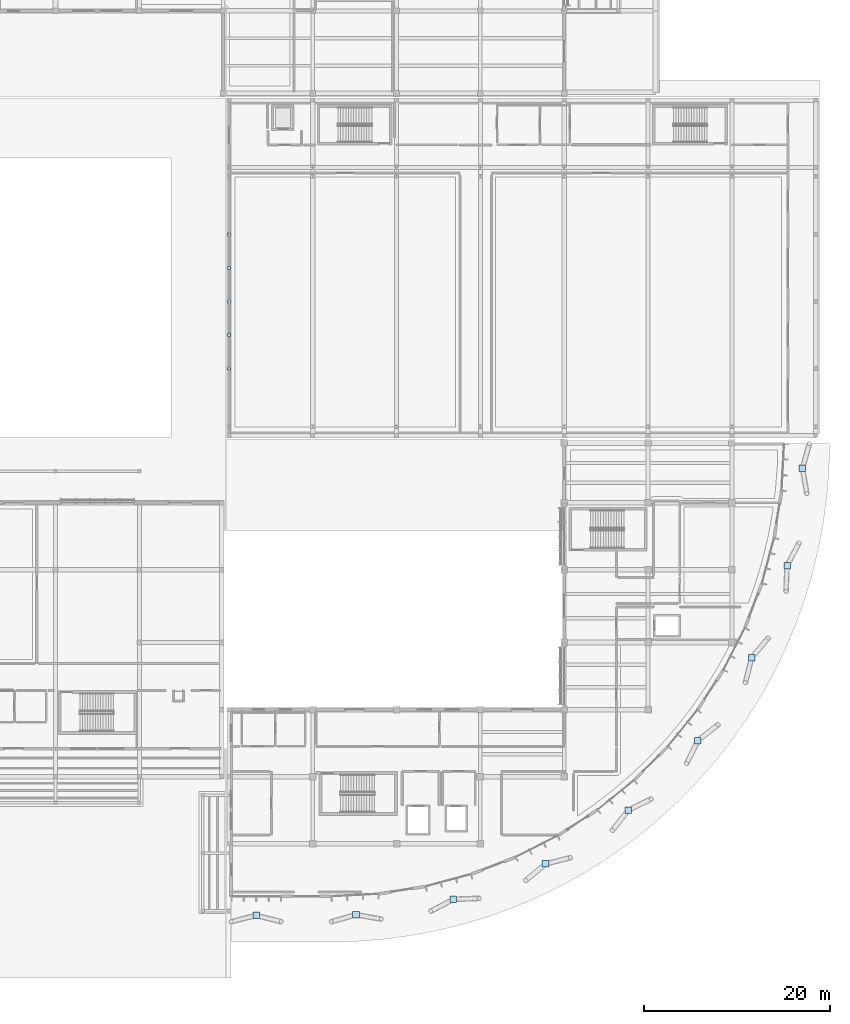
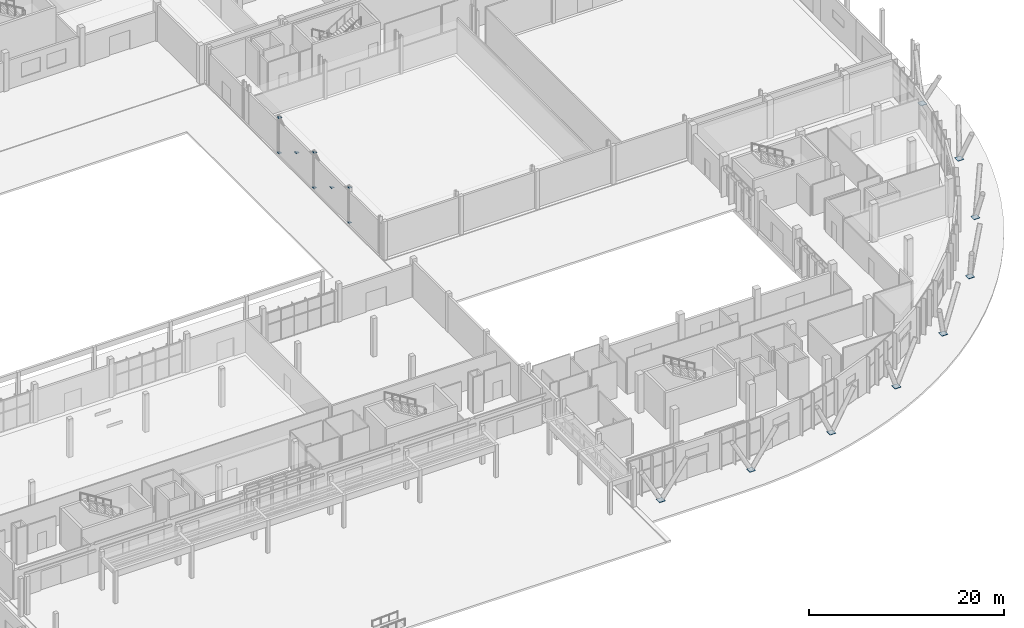
# One storey, part 114 of 151: 17 plates.
"""IFC4 building model written with IfcOpenShell, lengths in metres."""

from ifc_helpers import new_model, si_unit, direction, frame, origin, origin_2d, place, context, subcontext, project, spatial, rectangle, extrude, material, layer, layer_set, type_object, element, save


model = new_model("IFC4")

# Units and contexts
model_context = context("Model", 3, precision=1e-05, world=origin(), true_north=direction((0.0, 1.0)))
body_context = subcontext(model_context, "Body", "Model", "MODEL_VIEW")
ifc_project = project(units=[si_unit("LENGTHUNIT", "METRE"), si_unit("AREAUNIT", "SQUARE_METRE"), si_unit("VOLUMEUNIT", "CUBIC_METRE"), si_unit("PLANEANGLEUNIT", "RADIAN"), si_unit("MASSUNIT", "GRAM", prefix="KILO")], contexts=[model_context])

# Site, building, storey
site_placement = place(None, origin())
site = spatial("IfcSite", under=ifc_project, at=site_placement, CompositionType="ELEMENT")
building_placement = place(site_placement, origin())
building = spatial("IfcBuilding", under=site, at=building_placement, Name="Chiffa Square Polytechnic", CompositionType="ELEMENT")
storey_placement = place(building_placement, origin())
storey = spatial("IfcBuildingStorey", under=building, at=storey_placement, Name="L00", CompositionType="ELEMENT", Elevation=0.0)

# Plates
ifc_material = material(Name="Steel S355", Category="steel")
ifc_layer_1 = layer(ifc_material, 0.028076171875, Name="Steel S355")
ifc_layer_set_1 = layer_set([ifc_layer_1], Name="Steel S355")
plate_type_1 = type_object("IfcPlateType", Name="PLT-GUSSET-28", PredefinedType="USERDEFINED", material=ifc_layer_set_1)
for number, where, z_axis, x_axis, name in (
    (1, (112.199951171875, 65.39990234375, 0.18603515625), (0.0, 0.0, 1.0), (1.0, 0.0, 0.0), "Steel connection gusset plate GP-L00-218"),
    (2, (112.199951171875, 72.60009765625, 4.5859375), (0.0, 0.0, 1.0), (1.0, 0.0, 0.0), "Steel connection gusset plate GP-L00-219"),
    (3, (112.199951171875, 65.39990234375, 4.5859375), (0.0, 0.0, 1.0), (1.0, 0.0, 0.0), "Steel connection gusset plate GP-L00-220"),
    (4, (112.199951171875, 72.60009765625, 0.18603515625), (0.0, 0.0, 1.0), (1.0, 0.0, 0.0), "Steel connection gusset plate GP-L00-221"),
    (5, (112.199951171875, 69.0, 2.3857421875), (0.0, 0.0, 1.0), (1.0, 0.0, 0.0), "Steel connection gusset plate GP-L00-222"),
    (6, (112.199951171875, 79.800048828125, 4.5859375), (0.0, 0.0, 1.0), (1.0, 0.0, 0.0), "Steel connection gusset plate GP-L00-228"),
    (7, (112.199951171875, 79.800048828125, 0.18603515625), (0.0, 0.0, 1.0), (1.0, 0.0, 0.0), "Steel connection gusset plate GP-L00-229"),
    (8, (112.199951171875, 76.199951171875, 2.3857421875), (0.0, 0.0, 1.0), (1.0, 0.0, 0.0), "Steel connection gusset plate GP-L00-230"),
):
    element("IfcPlate", number, at=place(storey_placement, frame(where, z_axis=z_axis, x_axis=x_axis)), inside=storey, type_object=plate_type_1, Name=name, ObjectType="GUSSET PLATE", PredefinedType="USERDEFINED", context=body_context, shape_type="SweptSolid", body=[
        extrude(rectangle(XDim=0.320068359375, YDim=0.320068359375, at=origin_2d()), origin(), (0.0, 0.0, 1.0), 0.028076171875),
    ])
ifc_layer_2 = layer(ifc_material, 0.050048828125, Name="Steel S355")
ifc_layer_set_2 = layer_set([ifc_layer_2], Name="Steel S355")
plate_type_2 = type_object("IfcPlateType", Name="PLT-GUSSET-50", PredefinedType="USERDEFINED", material=ifc_layer_set_2)
for number, where, z_axis, x_axis, name in (
    (9, (115.137939453125, 6.7080078125, -0.02490234375), (0.0, 0.0, 1.0), (1.0, 0.0, 0.0), "Steel connection gusset plate GP-L00-001"),
    (10, (125.85009765625, 6.778076171875, -0.02490234375), (0.0, 0.0, 1.0), (1.0, 0.0, 0.0), "Steel connection gusset plate GP-L00-006"),
    (11, (136.306884765625, 8.43408203125, -0.02490234375), (0.0, 0.0, 1.0), (1.0, 0.0, 0.0), "Steel connection gusset plate GP-L00-011"),
    (12, (146.19091796875, 12.22802734375, -0.02490234375), (0.0, 0.0, 1.0), (1.0, 0.0, 0.0), "Steel connection gusset plate GP-L00-016"),
    (13, (155.070068359375, 17.993896484375, -0.02490234375), (0.0, 0.0, 1.0), (1.0, 0.0, 0.0), "Steel connection gusset plate GP-L00-021"),
    (14, (162.555908203125, 25.47998046875, -0.02490234375), (0.0, 0.0, 1.0), (1.0, 0.0, 0.0), "Steel connection gusset plate GP-L00-026"),
    (15, (168.322021484375, 34.35888671875, -0.02490234375), (0.0, 0.0, 1.0), (1.0, 0.0, 0.0), "Steel connection gusset plate GP-L00-031"),
    (16, (172.115966796875, 44.242919921875, -0.02490234375), (0.0, 0.0, 1.0), (1.0, 0.0, 0.0), "Steel connection gusset plate GP-L00-036"),
    (17, (173.77197265625, 54.699951171875, -0.02490234375), (0.0, 0.0, 1.0), (1.0, 0.0, 0.0), "Steel connection gusset plate GP-L00-041"),
):
    element("IfcPlate", number, at=place(storey_placement, frame(where, z_axis=z_axis, x_axis=x_axis)), inside=storey, type_object=plate_type_2, Name=name, ObjectType="GUSSET PLATE", PredefinedType="USERDEFINED", context=body_context, shape_type="SweptSolid", body=[
        extrude(rectangle(XDim=0.699951171875, YDim=0.699951171875, at=origin_2d()), origin(), (0.0, 0.0, 1.0), 0.050048828125),
    ])

save(model, "model.ifc")
